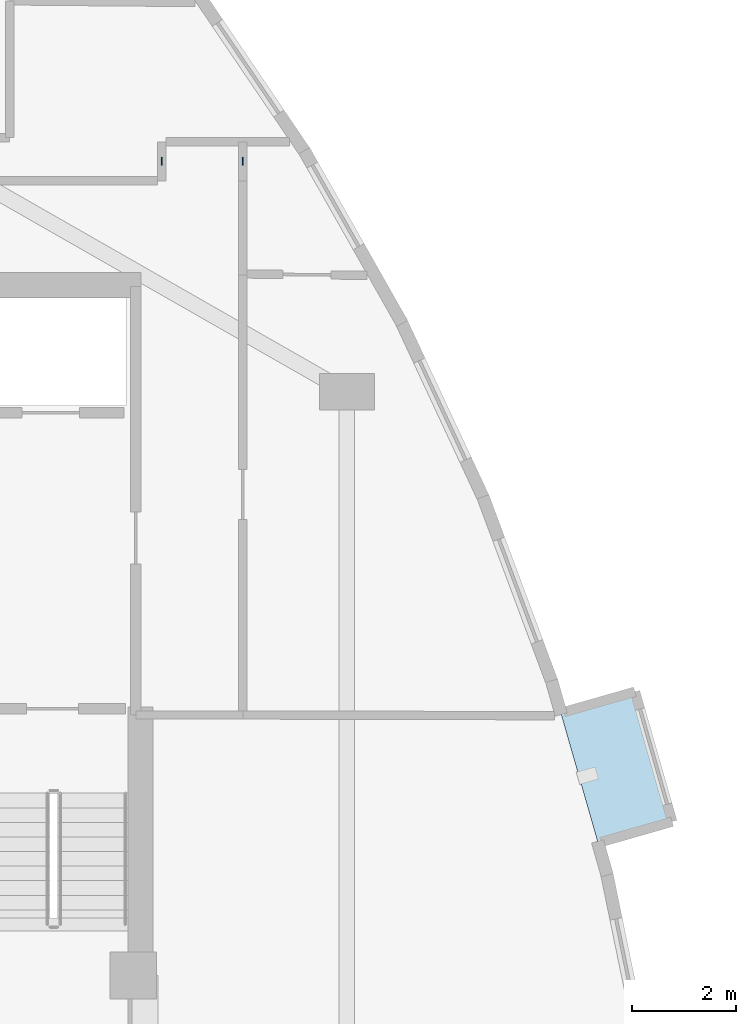
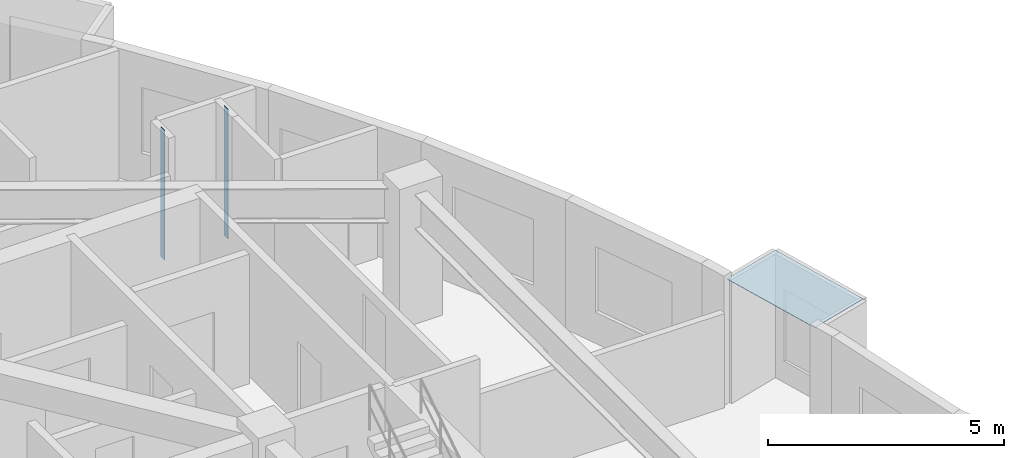
# One storey, part 2 of 8: 3 plates.
"""IFC4 building model written with IfcOpenShell, lengths in metres."""

from ifc_helpers import new_model, si_unit, direction, frame, origin, origin_2d, place, context, subcontext, project, spatial, polyline, rectangle, outline, extrude, material, layer, layer_set, type_object, element, save


model = new_model("IFC4")

# Units and contexts
model_context = context("Model", 3, precision=1e-05, world=origin(), true_north=direction((0.0, 1.0)))
body_context = subcontext(model_context, "Body", "Model", "MODEL_VIEW")
ifc_project = project(units=[si_unit("LENGTHUNIT", "METRE"), si_unit("AREAUNIT", "SQUARE_METRE"), si_unit("VOLUMEUNIT", "CUBIC_METRE"), si_unit("PLANEANGLEUNIT", "RADIAN"), si_unit("MASSUNIT", "GRAM", prefix="KILO")], contexts=[model_context])

# Site, building, storey
site_placement = place(None, origin())
site = spatial("IfcSite", under=ifc_project, at=site_placement, CompositionType="ELEMENT")
building_placement = place(site_placement, origin())
building = spatial("IfcBuilding", under=site, at=building_placement, Name="Miruveldt Soraemaru", CompositionType="ELEMENT")
storey_placement = place(building_placement, frame((0.0, 0.0, 237.60009765625)))
storey = spatial("IfcBuildingStorey", under=building, at=storey_placement, Name="L65", CompositionType="ELEMENT", Elevation=237.60009765625)

# Plates
ifc_material_1 = material(Name="Anodised aluminium EN AW-6063 T6", Category="aluminium")
ifc_layer_1 = layer(ifc_material_1, 0.02001953125, Name="Anodised aluminium EN AW-6063 T6", Category="aluminium")
ifc_layer_set_1 = layer_set([ifc_layer_1], Name="Anodised aluminium EN AW-6063 T6")
plate_type_1 = type_object("IfcPlateType", Name="PLT-PART-TRIM", PredefinedType="SHEET", material=ifc_layer_set_1)
for number, where, z_axis, x_axis, name in (
    (1, (54.60009765625, 54.824951171875, 0.0), (0.0, 0.0, 1.0), (0.0, 1.0, 0.0), "L65 Partition Step Corner Trim Plate 004"),
    (2, (53.050048828125, 54.824951171875, 0.0), (0.0, 0.0, 1.0), (0.0, -1.0, 0.0), "L65 Partition Step Corner Trim Plate 006"),
):
    element("IfcPlate", number, at=place(storey_placement, frame(where, z_axis=z_axis, x_axis=x_axis)), inside=storey, type_object=plate_type_1, Name=name, PredefinedType="SHEET", context=body_context, shape_type="SweptSolid", body=[
        extrude(rectangle(XDim=0.159912109375, YDim=0.02001953125, at=origin_2d()), origin(), (0.0, 0.0, 1.0), 3.344970703125),
    ])
ifc_material_2 = material(Name="Standing-seam titanium-zinc sheet", Category="aluminium")
ifc_layer_2 = layer(ifc_material_2, 0.011962890625, Name="Standing-seam titanium-zinc sheet", Category="aluminium")
ifc_layer_set_2 = layer_set([ifc_layer_2], Name="Standing-seam titanium-zinc sheet")
plate_type_2 = type_object("IfcPlateType", Name="PLT-ZINC-12", PredefinedType="SHEET", material=ifc_layer_set_2)
plate_placement = place(storey_placement, frame((0.0, 0.0, 3.19482421875)))
element("IfcPlate", 3, at=plate_placement, inside=storey, type_object=plate_type_2, Name="L65 Bay Window Zinc Hood Sheet 2", PredefinedType="SHEET", context=body_context, shape_type="SweptSolid", body=[
    extrude(outline(polyline([(61.4189453125, 41.746337890625), (60.706298828125, 44.238525390625), (62.129150390625, 44.6455078125), (62.841796875, 42.1533203125), (61.4189453125, 41.746337890625)])), origin(), (0.0, 0.0, 1.0), 0.011962890625),
])

save(model, "model.ifc")
